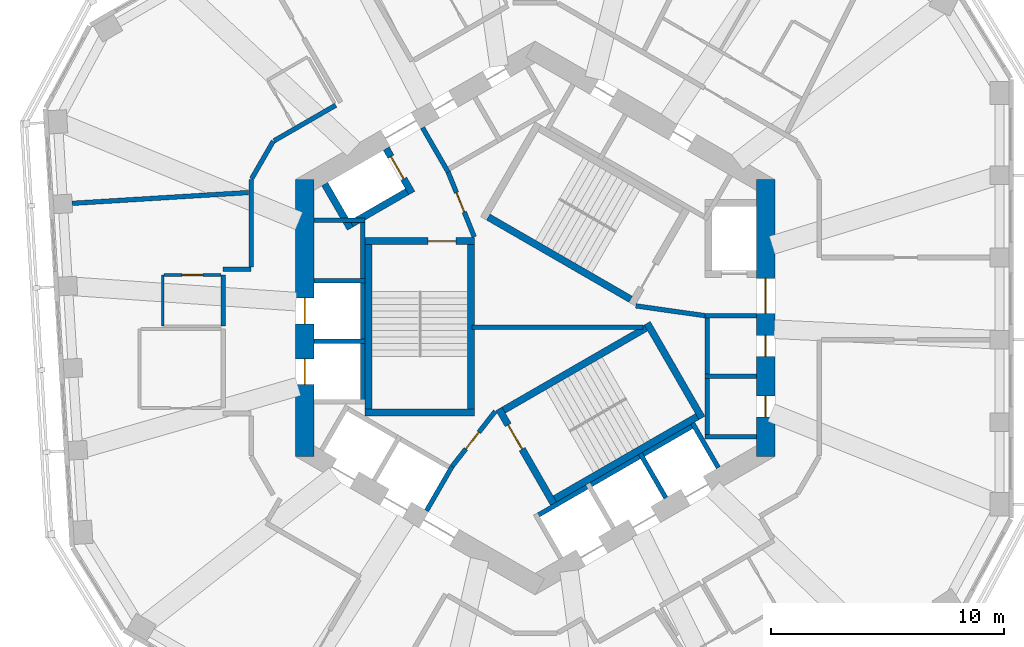
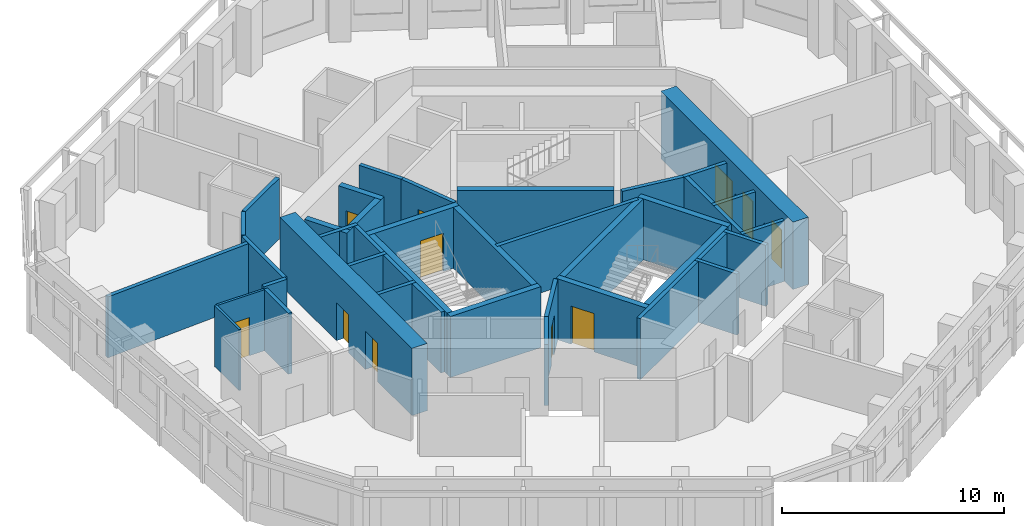
# One storey, part 5 of 11: 39 walls, 11 doors, 11 openings.
"""IFC4 building model written with IfcOpenShell, lengths in metres."""

from ifc_helpers import new_model, si_unit, direction, frame, frame_2d, origin, place, context, subcontext, project, spatial, rectangle, extrude, material, layer, layer_set, type_object, element, fill, save


model = new_model("IFC4")

# Units and contexts
model_context = context("Model", 3, precision=1e-05, world=origin(), true_north=direction((0.0, 1.0)))
body_context = subcontext(model_context, "Body", "Model", "MODEL_VIEW")
ifc_project = project(units=[si_unit("LENGTHUNIT", "METRE"), si_unit("AREAUNIT", "SQUARE_METRE"), si_unit("VOLUMEUNIT", "CUBIC_METRE"), si_unit("PLANEANGLEUNIT", "RADIAN"), si_unit("MASSUNIT", "GRAM", prefix="KILO")], contexts=[model_context])

# Site, building, storey
site_placement = place(None, origin())
site = spatial("IfcSite", under=ifc_project, at=site_placement, CompositionType="ELEMENT")
building_placement = place(site_placement, origin())
building = spatial("IfcBuilding", under=site, at=building_placement, Name="Vanh Sen Convention Tower", CompositionType="ELEMENT")
storey_placement = place(building_placement, frame((0.0, 0.0, 251.300048828125)))
storey = spatial("IfcBuildingStorey", under=building, at=storey_placement, Name="L62", CompositionType="ELEMENT", Elevation=251.300048828125)

# Wall
ifc_material_1 = material(Name="Moisture-resistant gypsum board on steel studs", Category="steel")
ifc_layer_1 = layer(ifc_material_1, 0.1201171875)
ifc_layer_set_1 = layer_set([ifc_layer_1], Name="Moisture-resistant gypsum board on steel studs")
wall_type_1 = type_object("IfcWallType", Name="Bathroom partition 120", PredefinedType="PARTITIONING", material=ifc_layer_set_1)
wall_1_placement = place(storey_placement, frame((-16.0009765625, -0.34912109375, 0.0), z_axis=(0.0, 0.0, 1.0), x_axis=(0.0, 1.0, 0.0)))
element("IfcWall", 1, at=wall_1_placement, inside=storey, type_object=wall_type_1, Name="Bathroom partition 120", PredefinedType="PARTITIONING", context=body_context, shape_type="SweptSolid", body=[
    extrude(rectangle(XDim=2.2001953125, YDim=0.1201171875, at=frame_2d((1.10009765625, 0.0))), origin(), (0.0, 0.0, 1.0), 3.349853515625),
])

# Wall, opening, door
wall_2_placement = place(storey_placement, frame((-15.94091796875, 1.85107421875, 0.0), z_axis=(0.0, 0.0, 1.0), x_axis=(1.0, 0.0, 0.0)))
wall_2 = element("IfcWall", 2, at=wall_2_placement, inside=storey, type_object=wall_type_1, Name="Bathroom partition 120", PredefinedType="PARTITIONING", context=body_context, shape_type="SweptSolid", body=[
    extrude(rectangle(XDim=2.43994140625, YDim=0.1201171875, at=frame_2d((1.219970703125, 0.0))), origin(), (0.0, 0.0, 1.0), 3.349853515625),
])
opening_1_placement = place(wall_2_placement, frame((0.77001953125, 0.0, 0.0)))
opening_1 = element("IfcOpeningElement", 3, at=opening_1_placement, cuts=wall_2, Name="Opening D61111", PredefinedType="OPENING", context=body_context, shape_type="SweptSolid", body=[
    extrude(rectangle(XDim=0.89990234375, YDim=2.10009765625, at=frame_2d((0.449951171875, 1.050048828125))), frame((0.0, 0.070068359375, 0.0), z_axis=(0.0, -1.0, 0.0), x_axis=(1.0, 0.0, 0.0)), (0.0, 0.0, 1.0), 0.14013671875),
])
ifc_material_2 = material(Name="Laminate door in steel frame", Category="steel")
door_type_1 = type_object("IfcDoorType", Name="Room internal door 900", OperationType="SINGLE_SWING_LEFT", PredefinedType="DOOR", material=ifc_material_2)
door_1_placement = place(opening_1_placement, origin())
door_1 = element("IfcDoor", 4, at=door_1_placement, inside=storey, type_object=door_type_1, Name="Internal room door D61111", OperationType="SINGLE_SWING_LEFT", OverallHeight=2.10009765625, OverallWidth=0.89990234375, PredefinedType="DOOR", context=body_context, shape_type="SweptSolid", body=[
    extrude(rectangle(XDim=0.89990234375, YDim=2.10009765625, at=frame_2d((0.449951171875, 1.050048828125))), frame((0.0, 0.02490234375, 0.0), z_axis=(0.0, -1.0, 0.0), x_axis=(1.0, 0.0, 0.0)), (0.0, 0.0, 1.0), 0.050048828125),
])
fill(opening_1, door_1)

# Wall, openings, doors
ifc_material_3 = material(Name="Concrete C60/75", Category="concrete")
ifc_layer_2 = layer(ifc_material_3, 0.800048828125)
ifc_layer_set_2 = layer_set([ifc_layer_2], Name="Concrete C60/75")
wall_type_2 = type_object("IfcWallType", Name="Core outer wall 800 C60/75", PredefinedType="SHEAR", material=ifc_layer_set_2)
wall_3_placement = place(storey_placement, frame((9.89990234375, -5.94677734375, 0.0), z_axis=(0.0, 0.0, 1.0), x_axis=(0.0, 1.0, 0.0)))
wall_3 = element("IfcWall", 5, at=wall_3_placement, inside=storey, type_object=wall_type_2, Name="Core wall face E L62", PredefinedType="SHEAR", context=body_context, shape_type="SweptSolid", body=[
    extrude(rectangle(XDim=11.8935546875, YDim=0.800048828125, at=frame_2d((5.94677734375, 0.0))), origin(), (0.0, 0.0, 1.0), 3.699951171875),
])
opening_2_placement = place(wall_3_placement, frame((6.146728515625, 0.0, 0.0)))
opening_2 = element("IfcOpeningElement", 6, at=opening_2_placement, cuts=wall_3, Name="Opening D61001", PredefinedType="OPENING", context=body_context, shape_type="SweptSolid", body=[
    extrude(rectangle(XDim=1.5, YDim=2.10009765625, at=frame_2d((0.75, 1.050048828125))), frame((0.0, 0.409912109375, 0.0), z_axis=(0.0, -1.0, 0.0), x_axis=(1.0, 0.0, 0.0)), (0.0, 0.0, 1.0), 0.820068359375),
])
opening_3_placement = place(wall_3_placement, frame((1.69677734375, 0.0, 0.0)))
opening_3 = element("IfcOpeningElement", 7, at=opening_3_placement, cuts=wall_3, Name="Opening D61009", PredefinedType="OPENING", context=body_context, shape_type="SweptSolid", body=[
    extrude(rectangle(XDim=0.89990234375, YDim=2.10009765625, at=frame_2d((0.449951171875, 1.050048828125))), frame((0.0, 0.409912109375, 0.0), z_axis=(0.0, -1.0, 0.0), x_axis=(1.0, 0.0, 0.0)), (0.0, 0.0, 1.0), 0.820068359375),
])
opening_4_placement = place(wall_3_placement, frame((4.296630859375, 0.0, 0.0)))
opening_4 = element("IfcOpeningElement", 8, at=opening_4_placement, cuts=wall_3, Name="Opening D61010", PredefinedType="OPENING", context=body_context, shape_type="SweptSolid", body=[
    extrude(rectangle(XDim=0.89990234375, YDim=2.10009765625, at=frame_2d((0.449951171875, 1.050048828125))), frame((0.0, 0.409912109375, 0.0), z_axis=(0.0, -1.0, 0.0), x_axis=(1.0, 0.0, 0.0)), (0.0, 0.0, 1.0), 0.820068359375),
])
ifc_material_4 = material(Name="Steel S355", Category="steel")
door_type_2 = type_object("IfcDoorType", Name="Plant door 900", OperationType="SINGLE_SWING_LEFT", PredefinedType="DOOR", material=ifc_material_4)
door_2_placement = place(opening_3_placement, origin())
door_2 = element("IfcDoor", 9, at=door_2_placement, inside=storey, type_object=door_type_2, Name="Plant door D61009", OperationType="SINGLE_SWING_LEFT", OverallHeight=2.10009765625, OverallWidth=0.89990234375, PredefinedType="DOOR", context=body_context, shape_type="SweptSolid", body=[
    extrude(rectangle(XDim=0.89990234375, YDim=2.10009765625, at=frame_2d((0.449951171875, 1.050048828125))), frame((0.0, 0.02490234375, 0.0), z_axis=(0.0, -1.0, 0.0), x_axis=(1.0, 0.0, 0.0)), (0.0, 0.0, 1.0), 0.050048828125),
])
fill(opening_3, door_2)
door_3_placement = place(opening_4_placement, origin())
door_3 = element("IfcDoor", 10, at=door_3_placement, inside=storey, type_object=door_type_2, Name="Plant door D61010", OperationType="SINGLE_SWING_LEFT", OverallHeight=2.10009765625, OverallWidth=0.89990234375, PredefinedType="DOOR", context=body_context, shape_type="SweptSolid", body=[
    extrude(rectangle(XDim=0.89990234375, YDim=2.10009765625, at=frame_2d((0.449951171875, 1.050048828125))), frame((0.0, 0.02490234375, 0.0), z_axis=(0.0, -1.0, 0.0), x_axis=(1.0, 0.0, 0.0)), (0.0, 0.0, 1.0), 0.050048828125),
])
fill(opening_4, door_3)
door_type_3 = type_object("IfcDoorType", Name="Stair lobby door 1500", OperationType="DOUBLE_DOOR_SINGLE_SWING", PredefinedType="DOOR", material=ifc_material_4)
door_4_placement = place(opening_2_placement, origin())
door_4 = element("IfcDoor", 11, at=door_4_placement, inside=storey, type_object=door_type_3, Name="Stair lobby door D61001", OperationType="DOUBLE_DOOR_SINGLE_SWING", OverallHeight=2.10009765625, OverallWidth=1.5, PredefinedType="DOOR", context=body_context, shape_type="SweptSolid", body=[
    extrude(rectangle(XDim=1.5, YDim=2.10009765625, at=frame_2d((0.75, 1.050048828125))), frame((0.0, 0.02490234375, 0.0), z_axis=(0.0, -1.0, 0.0), x_axis=(1.0, 0.0, 0.0)), (0.0, 0.0, 1.0), 0.050048828125),
])
fill(opening_2, door_4)

wall_4_placement = place(storey_placement, frame((-9.89990234375, 5.94677734375, 0.0), z_axis=(0.0, 0.0, 1.0), x_axis=(0.0, -1.0, 0.0)))
wall_4 = element("IfcWall", 12, at=wall_4_placement, inside=storey, type_object=wall_type_2, Name="Core wall face W L62", PredefinedType="SHEAR", context=body_context, shape_type="SweptSolid", body=[
    extrude(rectangle(XDim=11.8935546875, YDim=0.800048828125, at=frame_2d((5.94677734375, 0.0))), origin(), (0.0, 0.0, 1.0), 3.699951171875),
])
opening_5_placement = place(wall_4_placement, frame((5.0966796875, 0.0, 0.0)))
opening_5 = element("IfcOpeningElement", 13, at=opening_5_placement, cuts=wall_4, Name="Opening LD-HR1", PredefinedType="OPENING", context=body_context, shape_type="SweptSolid", body=[
    extrude(rectangle(XDim=1.10009765625, YDim=2.10009765625, at=frame_2d((0.550048828125, 1.050048828125))), frame((0.0, 0.409912109375, 0.0), z_axis=(0.0, -1.0, 0.0), x_axis=(1.0, 0.0, 0.0)), (0.0, 0.0, 1.0), 0.820068359375),
])
opening_6_placement = place(wall_4_placement, frame((7.69677734375, 0.0, 0.0)))
opening_6 = element("IfcOpeningElement", 14, at=opening_6_placement, cuts=wall_4, Name="Opening LD-HR2", PredefinedType="OPENING", context=body_context, shape_type="SweptSolid", body=[
    extrude(rectangle(XDim=1.10009765625, YDim=2.10009765625, at=frame_2d((0.550048828125, 1.050048828125))), frame((0.0, 0.409912109375, 0.0), z_axis=(0.0, -1.0, 0.0), x_axis=(1.0, 0.0, 0.0)), (0.0, 0.0, 1.0), 0.820068359375),
])
ifc_material_5 = material(Name="Stainless steel", Category="steel")
door_type_4 = type_object("IfcDoorType", Name="Lift landing door 1100", OperationType="DOUBLE_DOOR_SLIDING", PredefinedType="DOOR", material=ifc_material_5)
door_5_placement = place(opening_5_placement, origin())
door_5 = element("IfcDoor", 15, at=door_5_placement, inside=storey, type_object=door_type_4, Name="Lift HR1 landing door LD-HR1", OperationType="DOUBLE_DOOR_SLIDING", OverallHeight=2.10009765625, OverallWidth=1.10009765625, PredefinedType="DOOR", context=body_context, shape_type="SweptSolid", body=[
    extrude(rectangle(XDim=1.10009765625, YDim=2.10009765625, at=frame_2d((0.550048828125, 1.050048828125))), frame((0.0, 0.02490234375, 0.0), z_axis=(0.0, -1.0, 0.0), x_axis=(1.0, 0.0, 0.0)), (0.0, 0.0, 1.0), 0.050048828125),
])
fill(opening_5, door_5)
door_6_placement = place(opening_6_placement, origin())
door_6 = element("IfcDoor", 16, at=door_6_placement, inside=storey, type_object=door_type_4, Name="Lift HR2 landing door LD-HR2", OperationType="DOUBLE_DOOR_SLIDING", OverallHeight=2.10009765625, OverallWidth=1.10009765625, PredefinedType="DOOR", context=body_context, shape_type="SweptSolid", body=[
    extrude(rectangle(XDim=1.10009765625, YDim=2.10009765625, at=frame_2d((0.550048828125, 1.050048828125))), frame((0.0, 0.02490234375, 0.0), z_axis=(0.0, -1.0, 0.0), x_axis=(1.0, 0.0, 0.0)), (0.0, 0.0, 1.0), 0.050048828125),
])
fill(opening_6, door_6)

# Walls
ifc_material_6 = material(Name="Masonry blockwork", Category="masonry")
ifc_layer_3 = layer(ifc_material_6, 0.199951171875)
ifc_layer_set_3 = layer_set([ifc_layer_3], Name="Masonry blockwork")
wall_type_3 = type_object("IfcWallType", Name="Core partition 200", PredefinedType="PARTITIONING", material=ifc_layer_set_3)
wall_5_placement = place(storey_placement, frame((-2.719970703125, -0.39990234375, 0.0), z_axis=(0.0, 0.0, 1.0), x_axis=(1.0, 0.0, 0.0)))
element("IfcWall", 17, at=wall_5_placement, inside=storey, type_object=wall_type_3, Name="Core partition L62", PredefinedType="PARTITIONING", context=body_context, shape_type="SweptSolid", body=[
    extrude(rectangle(XDim=7.34716796875, YDim=0.199951171875, at=frame_2d((3.673583984375, 0.0))), origin(), (0.0, 0.0, 1.0), 3.349853515625),
])
ifc_material_7 = material(Name="Gypsum board on steel studs with mineral wool", Category="steel")
ifc_layer_4 = layer(ifc_material_7, 0.199951171875)
ifc_layer_set_4 = layer_set([ifc_layer_4], Name="Gypsum board on steel studs with mineral wool")
wall_type_4 = type_object("IfcWallType", Name="Corridor partition wall 200", PredefinedType="PARTITIONING", material=ifc_layer_set_4)
wall_6_placement = place(storey_placement, frame((-13.40087890625, 1.85107421875, 0.0), z_axis=(0.0, 0.0, 1.0), x_axis=(0.0, -1.0, 0.0)))
element("IfcWall", 18, at=wall_6_placement, inside=storey, type_object=wall_type_4, Name="Corridor partition wall 200", PredefinedType="PARTITIONING", context=body_context, shape_type="SweptSolid", body=[
    extrude(rectangle(XDim=2.2001953125, YDim=0.199951171875, at=frame_2d((1.10009765625, 0.0))), origin(), (0.0, 0.0, 1.0), 3.349853515625),
])
wall_7_placement = place(storey_placement, frame((-12.199951171875, 2.10107421875, 0.0), z_axis=(0.0, 0.0, 1.0), x_axis=(-1.0, 0.0, 0.0)))
element("IfcWall", 19, at=wall_7_placement, inside=storey, type_object=wall_type_4, Name="Corridor partition wall 200", PredefinedType="PARTITIONING", context=body_context, shape_type="SweptSolid", body=[
    extrude(rectangle(XDim=1.200927734375, YDim=0.199951171875, at=frame_2d((0.6005859375, 0.0))), origin(), (0.0, 0.0, 1.0), 3.349853515625),
])
wall_8_placement = place(storey_placement, frame((-12.199951171875, 5.94677734375, 0.0), z_axis=(0.0, 0.0, 1.0), x_axis=(0.0, -1.0, 0.0)))
element("IfcWall", 20, at=wall_8_placement, inside=storey, type_object=wall_type_4, Name="Corridor partition wall 200", PredefinedType="PARTITIONING", context=body_context, shape_type="SweptSolid", body=[
    extrude(rectangle(XDim=3.745849609375, YDim=0.199951171875, at=frame_2d((1.873046875, 0.0))), origin(), (0.0, 0.0, 1.0), 3.349853515625),
])
wall_9_placement = place(storey_placement, frame((-11.25, 7.592041015625, 0.0), z_axis=(0.0, 0.0, 1.0), x_axis=(-0.499964847546, -0.866045698112, 0.0)))
element("IfcWall", 21, at=wall_9_placement, inside=storey, type_object=wall_type_4, Name="Corridor partition wall 200", PredefinedType="PARTITIONING", context=body_context, shape_type="SweptSolid", body=[
    extrude(rectangle(XDim=1.860107421875, YDim=0.199951171875, at=frame_2d((0.93017578125, 0.0))), origin(), (0.0, 0.0, 1.0), 3.349853515625),
])
wall_10_placement = place(storey_placement, frame((-8.56640625, 9.1416015625, 0.0), z_axis=(0.0, 0.0, 1.0), x_axis=(-0.865999496279, -0.500044870432, 0.0)))
element("IfcWall", 22, at=wall_10_placement, inside=storey, type_object=wall_type_4, Name="Corridor partition wall 200", PredefinedType="PARTITIONING", context=body_context, shape_type="SweptSolid", body=[
    extrude(rectangle(XDim=3.058837890625, YDim=0.199951171875, at=frame_2d((1.529296875, 0.0))), origin(), (0.0, 0.0, 1.0), 3.349853515625),
])

# Wall, opening, door
ifc_layer_5 = layer(ifc_material_3, 0.300048828125)
ifc_layer_set_5 = layer_set([ifc_layer_5], Name="Concrete C60/75")
wall_type_5 = type_object("IfcWallType", Name="Fire-fighting lift shaft wall 300", PredefinedType="SHEAR", material=ifc_layer_set_5)
wall_11_placement = place(storey_placement, frame((-5.29541015625, 5.3720703125, 0.0), z_axis=(0.0, 0.0, 1.0), x_axis=(-0.500077893725, 0.86598042715, 0.0)))
wall_11 = element("IfcWall", 23, at=wall_11_placement, inside=storey, type_object=wall_type_5, Name="Fire-fighting lift shaft wall L62", PredefinedType="SHEAR", context=body_context, shape_type="SweptSolid", body=[
    extrude(rectangle(XDim=2.199951171875, YDim=0.300048828125, at=frame_2d((1.10009765625, 0.0))), origin(), (0.0, 0.0, 1.0), 3.349853515625),
])
opening_7_placement = place(wall_11_placement, frame((0.699951171875, 0.0, 0.0)))
opening_7 = element("IfcOpeningElement", 24, at=opening_7_placement, cuts=wall_11, Name="Opening LD-FF2", PredefinedType="OPENING", context=body_context, shape_type="SweptSolid", body=[
    extrude(rectangle(XDim=1.10009765625, YDim=2.10009765625, at=frame_2d((0.550048828125, 1.050048828125))), frame((0.0, 0.159912109375, 0.0), z_axis=(0.0, -1.0, 0.0), x_axis=(1.0, 0.0, 0.0)), (0.0, 0.0, 1.0), 0.320068359375),
])
door_type_5 = type_object("IfcDoorType", Name="Fire-fighting lift landing door 1100", OperationType="DOUBLE_DOOR_SLIDING", PredefinedType="DOOR", material=ifc_material_5)
door_7_placement = place(opening_7_placement, origin())
door_7 = element("IfcDoor", 25, at=door_7_placement, inside=storey, type_object=door_type_5, Name="Lift FF2 landing door LD-FF2", OperationType="DOUBLE_DOOR_SLIDING", OverallHeight=2.10009765625, OverallWidth=1.10009765625, PredefinedType="DOOR", context=body_context, shape_type="SweptSolid", body=[
    extrude(rectangle(XDim=1.10009765625, YDim=2.10009765625, at=frame_2d((0.550048828125, 1.050048828125))), frame((0.0, 0.02490234375, 0.0), z_axis=(0.0, -1.0, 0.0), x_axis=(1.0, 0.0, 0.0)), (0.0, 0.0, 1.0), 0.050048828125),
])
fill(opening_7, door_7)

# Walls
wall_12_placement = place(storey_placement, frame((-5.240478515625, 5.576904296875, 0.0), z_axis=(0.0, 0.0, 1.0), x_axis=(-0.866014461049, -0.500018952895, 0.0)))
element("IfcWall", 26, at=wall_12_placement, inside=storey, type_object=wall_type_5, Name="Fire-fighting lift shaft wall L62", PredefinedType="SHEAR", context=body_context, shape_type="SweptSolid", body=[
    extrude(rectangle(XDim=3.349853515625, YDim=0.300048828125, at=frame_2d((1.6748046875, 0.0))), origin(), (0.0, 0.0, 1.0), 3.349853515625),
])
wall_13_placement = place(storey_placement, frame((-7.936767578125, 3.846923828125, 0.0), z_axis=(0.0, 0.0, 1.0), x_axis=(-0.50002983664, 0.866008176907, 0.0)))
element("IfcWall", 27, at=wall_13_placement, inside=storey, type_object=wall_type_5, Name="Fire-fighting lift shaft wall L62", PredefinedType="SHEAR", context=body_context, shape_type="SweptSolid", body=[
    extrude(rectangle(XDim=2.199951171875, YDim=0.300048828125, at=frame_2d((1.10009765625, 0.0))), origin(), (0.0, 0.0, 1.0), 3.349853515625),
])
ifc_material_8 = material(Name="Concrete C40/50", Category="concrete")
ifc_layer_6 = layer(ifc_material_8, 0.199951171875)
ifc_layer_set_6 = layer_set([ifc_layer_6], Name="Concrete C40/50")
wall_type_6 = type_object("IfcWallType", Name="Lift shaft wall 200", PredefinedType="PARTITIONING", material=ifc_layer_set_6)
wall_14_placement = place(storey_placement, frame((7.39990234375, -5.199951171875, 0.0), z_axis=(0.0, 0.0, 1.0), x_axis=(0.0, 1.0, 0.0)))
element("IfcWall", 28, at=wall_14_placement, inside=storey, type_object=wall_type_6, Name="Lift shaft wall L62", PredefinedType="PARTITIONING", context=body_context, shape_type="SweptSolid", body=[
    extrude(rectangle(XDim=5.39990234375, YDim=0.199951171875, at=frame_2d((2.699951171875, 0.0))), origin(), (0.0, 0.0, 1.0), 3.349853515625),
])
for number, where, z_axis, x_axis, name in (
    (29, (7.300048828125, -5.10009765625, 0.0), (0.0, 0.0, 1.0), (1.0, 0.0, 0.0), "Lift shaft wall L62"),
    (30, (7.300048828125, -2.5, 0.0), (0.0, 0.0, 1.0), (1.0, 0.0, 0.0), "Lift shaft wall L62"),
    (31, (7.300048828125, 0.10009765625, 0.0), (0.0, 0.0, 1.0), (1.0, 0.0, 0.0), "Lift shaft wall L62"),
    (32, (-3.736572265625, 6.27197265625, 0.0), (0.0, 0.0, 1.0), (-0.50002983664, 0.866008176907, 0.0), "Lift shaft wall L62"),
):
    element("IfcWall", number, at=place(storey_placement, frame(where, z_axis=z_axis, x_axis=x_axis)), inside=storey, type_object=wall_type_6, Name=name, PredefinedType="PARTITIONING", context=body_context, shape_type="SweptSolid", body=[
        extrude(rectangle(XDim=2.199951171875, YDim=0.199951171875, at=frame_2d((1.10009765625, 0.0))), origin(), (0.0, 0.0, 1.0), 3.349853515625),
    ])
wall_15_placement = place(storey_placement, frame((-7.39990234375, 4.300048828125, 0.0), z_axis=(0.0, 0.0, 1.0), x_axis=(0.0, -1.0, 0.0)))
element("IfcWall", 33, at=wall_15_placement, inside=storey, type_object=wall_type_6, Name="Lift shaft wall L62", PredefinedType="PARTITIONING", context=body_context, shape_type="SweptSolid", body=[
    extrude(rectangle(XDim=8.0, YDim=0.199951171875, at=frame_2d((4.0, 0.0))), origin(), (0.0, 0.0, 1.0), 3.349853515625),
])
for number, where, z_axis, x_axis, name in (
    (34, (-7.300048828125, 4.199951171875, 0.0), (0.0, 0.0, 1.0), (-1.0, 0.0, 0.0), "Lift shaft wall L62"),
    (35, (-7.300048828125, 1.60009765625, 0.0), (0.0, 0.0, 1.0), (-1.0, 0.0, 0.0), "Lift shaft wall L62"),
    (36, (-7.300048828125, -1.0, 0.0), (0.0, 0.0, 1.0), (-1.0, 0.0, 0.0), "Lift shaft wall L62"),
):
    element("IfcWall", number, at=place(storey_placement, frame(where, z_axis=z_axis, x_axis=x_axis)), inside=storey, type_object=wall_type_6, Name=name, PredefinedType="PARTITIONING", context=body_context, shape_type="SweptSolid", body=[
        extrude(rectangle(XDim=2.199951171875, YDim=0.199951171875, at=frame_2d((1.10009765625, 0.0))), origin(), (0.0, 0.0, 1.0), 3.349853515625),
    ])
wall_16_placement = place(storey_placement, frame((-3.5634765625, -6.3720703125, 0.0), z_axis=(0.0, 0.0, 1.0), x_axis=(-0.499994660107, -0.866028486751, 0.0)))
element("IfcWall", 37, at=wall_16_placement, inside=storey, type_object=wall_type_6, Name="Lift shaft wall L62", PredefinedType="PARTITIONING", context=body_context, shape_type="SweptSolid", body=[
    extrude(rectangle(XDim=2.19970703125, YDim=0.199951171875, at=frame_2d((1.099853515625, 0.0))), origin(), (0.0, 0.0, 1.0), 3.349853515625),
])
wall_17_placement = place(storey_placement, frame((-0.02392578125, -8.55859375, 0.0), z_axis=(0.0, 0.0, 1.0), x_axis=(0.866026010844, 0.49999894854, 0.0)))
element("IfcWall", 38, at=wall_17_placement, inside=storey, type_object=wall_type_6, Name="Lift shaft wall L62", PredefinedType="PARTITIONING", context=body_context, shape_type="SweptSolid", body=[
    extrude(rectangle(XDim=8.0, YDim=0.199951171875, at=frame_2d((4.0, 0.0))), origin(), (0.0, 0.0, 1.0), 3.349853515625),
])
for number, where, z_axis, x_axis, name in (
    (39, (4.51611328125, -5.822021484375, 0.0), (0.0, 0.0, 1.0), (0.499946605688, -0.86605622881, 0.0), "Lift shaft wall L62"),
    (40, (6.767578125, -4.52197265625, 0.0), (0.0, 0.0, 1.0), (0.50002983664, -0.866008176907, 0.0), "Lift shaft wall L62"),
):
    element("IfcWall", number, at=place(storey_placement, frame(where, z_axis=z_axis, x_axis=x_axis)), inside=storey, type_object=wall_type_6, Name=name, PredefinedType="PARTITIONING", context=body_context, shape_type="SweptSolid", body=[
        extrude(rectangle(XDim=2.199951171875, YDim=0.199951171875, at=frame_2d((1.10009765625, 0.0))), origin(), (0.0, 0.0, 1.0), 3.349853515625),
    ])
ifc_layer_7 = layer(ifc_material_8, 0.199951171875)
ifc_layer_set_7 = layer_set([ifc_layer_7], Name="Concrete C40/50")
wall_type_7 = type_object("IfcWallType", Name="Stair lobby wall 200", PredefinedType="PARTITIONING", material=ifc_layer_set_7)
wall_18_placement = place(storey_placement, frame((4.327392578125, 0.52099609375, 0.0), z_axis=(0.0, 0.0, 1.0), x_axis=(0.990124376366, -0.14019172346, 0.0)))
element("IfcWall", 41, at=wall_18_placement, inside=storey, type_object=wall_type_7, Name="Stair lobby wall L62", PredefinedType="PARTITIONING", context=body_context, shape_type="SweptSolid", body=[
    extrude(rectangle(XDim=3.002197265625, YDim=0.199951171875, at=frame_2d((1.5009765625, 0.0))), origin(), (0.0, 0.0, 1.0), 3.349853515625),
])

# Wall, opening, door
wall_19_placement = place(storey_placement, frame((-2.614990234375, 3.487060546875, 0.0), z_axis=(0.0, 0.0, 1.0), x_axis=(-0.373576831041, 0.92759924068, 0.0)))
wall_19 = element("IfcWall", 42, at=wall_19_placement, inside=storey, type_object=wall_type_7, Name="Stair lobby wall L62", PredefinedType="PARTITIONING", context=body_context, shape_type="SweptSolid", body=[
    extrude(rectangle(XDim=3.002197265625, YDim=0.199951171875, at=frame_2d((1.5009765625, 0.0))), origin(), (0.0, 0.0, 1.0), 3.349853515625),
])
opening_8_placement = place(wall_19_placement, frame((1.14990234375, 0.0, 0.0)))
opening_8 = element("IfcOpeningElement", 43, at=opening_8_placement, cuts=wall_19, Name="Opening D61007", PredefinedType="OPENING", context=body_context, shape_type="SweptSolid", body=[
    extrude(rectangle(XDim=0.89990234375, YDim=2.10009765625, at=frame_2d((0.449951171875, 1.050048828125))), frame((0.0, 0.10986328125, 0.0), z_axis=(0.0, -1.0, 0.0), x_axis=(1.0, 0.0, 0.0)), (0.0, 0.0, 1.0), 0.219970703125),
])
door_8_placement = place(opening_8_placement, origin())
door_8 = element("IfcDoor", 44, at=door_8_placement, inside=storey, type_object=door_type_2, Name="Plant door D61007", OperationType="SINGLE_SWING_LEFT", OverallHeight=2.10009765625, OverallWidth=0.89990234375, PredefinedType="DOOR", context=body_context, shape_type="SweptSolid", body=[
    extrude(rectangle(XDim=0.89990234375, YDim=2.10009765625, at=frame_2d((0.449951171875, 1.050048828125))), frame((0.0, 0.02490234375, 0.0), z_axis=(0.0, -1.0, 0.0), x_axis=(1.0, 0.0, 0.0)), (0.0, 0.0, 1.0), 0.050048828125),
])
fill(opening_8, door_8)

wall_20_placement = place(storey_placement, frame((-1.71240234375, -4.00830078125, 0.0), z_axis=(0.0, 0.0, 1.0), x_axis=(-0.616549420702, -0.787316208287, 0.0)))
wall_20 = element("IfcWall", 45, at=wall_20_placement, inside=storey, type_object=wall_type_7, Name="Stair lobby wall L62", PredefinedType="PARTITIONING", context=body_context, shape_type="SweptSolid", body=[
    extrude(rectangle(XDim=3.002197265625, YDim=0.199951171875, at=frame_2d((1.5009765625, 0.0))), origin(), (0.0, 0.0, 1.0), 3.349853515625),
])
opening_9_placement = place(wall_20_placement, frame((1.14990234375, 0.0, 0.0)))
opening_9 = element("IfcOpeningElement", 46, at=opening_9_placement, cuts=wall_20, Name="Opening D61008", PredefinedType="OPENING", context=body_context, shape_type="SweptSolid", body=[
    extrude(rectangle(XDim=0.89990234375, YDim=2.10009765625, at=frame_2d((0.449951171875, 1.050048828125))), frame((0.0, 0.10986328125, 0.0), z_axis=(0.0, -1.0, 0.0), x_axis=(1.0, 0.0, 0.0)), (0.0, 0.0, 1.0), 0.219970703125),
])
door_9_placement = place(opening_9_placement, origin())
door_9 = element("IfcDoor", 47, at=door_9_placement, inside=storey, type_object=door_type_2, Name="Plant door D61008", OperationType="SINGLE_SWING_LEFT", OverallHeight=2.10009765625, OverallWidth=0.89990234375, PredefinedType="DOOR", context=body_context, shape_type="SweptSolid", body=[
    extrude(rectangle(XDim=0.89990234375, YDim=2.10009765625, at=frame_2d((0.449951171875, 1.050048828125))), frame((0.0, 0.02490234375, 0.0), z_axis=(0.0, -1.0, 0.0), x_axis=(1.0, 0.0, 0.0)), (0.0, 0.0, 1.0), 0.050048828125),
])
fill(opening_9, door_9)

# Wall
ifc_layer_8 = layer(ifc_material_3, 0.300048828125)
ifc_layer_set_8 = layer_set([ifc_layer_8], Name="Concrete C60/75")
wall_type_8 = type_object("IfcWallType", Name="Stair wall 300", PredefinedType="SHEAR", material=ifc_layer_set_8)
wall_21_placement = place(storey_placement, frame((4.10302734375, 0.806640625, 0.0), z_axis=(0.0, 0.0, 1.0), x_axis=(-0.866027801685, 0.499995846692, 0.0)))
element("IfcWall", 48, at=wall_21_placement, inside=storey, type_object=wall_type_8, Name="Stair wall L62", PredefinedType="SHEAR", context=body_context, shape_type="SweptSolid", body=[
    extrude(rectangle(XDim=7.06005859375, YDim=0.300048828125, at=frame_2d((3.530029296875, 0.0))), origin(), (0.0, 0.0, 1.0), 3.349853515625),
])

# Wall, opening, door
wall_22_placement = place(storey_placement, frame((-2.60009765625, 3.300048828125, 0.0), z_axis=(0.0, 0.0, 1.0), x_axis=(-1.0, 0.0, 0.0)))
wall_22 = element("IfcWall", 49, at=wall_22_placement, inside=storey, type_object=wall_type_8, Name="Stair wall L62", PredefinedType="SHEAR", context=body_context, shape_type="SweptSolid", body=[
    extrude(rectangle(XDim=4.699951171875, YDim=0.300048828125, at=frame_2d((2.35009765625, 0.0))), origin(), (0.0, 0.0, 1.0), 3.349853515625),
])
opening_10_placement = place(wall_22_placement, frame((0.800048828125, 0.0, 0.0)))
opening_10 = element("IfcOpeningElement", 50, at=opening_10_placement, cuts=wall_22, Name="Opening D61005", PredefinedType="OPENING", context=body_context, shape_type="SweptSolid", body=[
    extrude(rectangle(XDim=1.199951171875, YDim=2.10009765625, at=frame_2d((0.60009765625, 1.050048828125))), frame((0.0, 0.159912109375, 0.0), z_axis=(0.0, -1.0, 0.0), x_axis=(1.0, 0.0, 0.0)), (0.0, 0.0, 1.0), 0.320068359375),
])
door_type_6 = type_object("IfcDoorType", Name="Stair door 1200", OperationType="SINGLE_SWING_RIGHT", PredefinedType="DOOR", material=ifc_material_4)
door_10_placement = place(opening_10_placement, origin())
door_10 = element("IfcDoor", 51, at=door_10_placement, inside=storey, type_object=door_type_6, Name="Stair ST2 door D61005", OperationType="SINGLE_SWING_RIGHT", OverallHeight=2.10009765625, OverallWidth=1.199951171875, PredefinedType="DOOR", context=body_context, shape_type="SweptSolid", body=[
    extrude(rectangle(XDim=1.199951171875, YDim=2.10009765625, at=frame_2d((0.60009765625, 1.050048828125))), frame((0.0, 0.02490234375, 0.0), z_axis=(0.0, -1.0, 0.0), x_axis=(1.0, 0.0, 0.0)), (0.0, 0.0, 1.0), 0.050048828125),
])
fill(opening_10, door_10)

# Walls
wall_23_placement = place(storey_placement, frame((-2.60009765625, -4.06005859375, 0.0), z_axis=(0.0, 0.0, 1.0), x_axis=(-1.0, 0.0, 0.0)))
element("IfcWall", 52, at=wall_23_placement, inside=storey, type_object=wall_type_8, Name="Stair wall L62", PredefinedType="SHEAR", context=body_context, shape_type="SweptSolid", body=[
    extrude(rectangle(XDim=4.699951171875, YDim=0.300048828125, at=frame_2d((2.35009765625, 0.0))), origin(), (0.0, 0.0, 1.0), 3.349853515625),
])
for number, where, z_axis, x_axis, name in (
    (53, (-2.75, 3.14990234375, 0.0), (0.0, 0.0, 1.0), (0.0, -1.0, 0.0), "Stair wall L62"),
    (54, (-7.14990234375, 3.14990234375, 0.0), (0.0, 0.0, 1.0), (0.0, -1.0, 0.0), "Stair wall L62"),
):
    element("IfcWall", number, at=place(storey_placement, frame(where, z_axis=z_axis, x_axis=x_axis)), inside=storey, type_object=wall_type_8, Name=name, PredefinedType="SHEAR", context=body_context, shape_type="SweptSolid", body=[
        extrude(rectangle(XDim=7.059814453125, YDim=0.300048828125, at=frame_2d((3.52978515625, 0.0))), origin(), (0.0, 0.0, 1.0), 3.349853515625),
    ])

# Wall, opening, door
wall_24_placement = place(storey_placement, frame((-1.557861328125, -3.901611328125, 0.0), z_axis=(0.0, 0.0, 1.0), x_axis=(0.499977259774, -0.866038532462, 0.0)))
wall_24 = element("IfcWall", 55, at=wall_24_placement, inside=storey, type_object=wall_type_8, Name="Stair wall L62", PredefinedType="SHEAR", context=body_context, shape_type="SweptSolid", body=[
    extrude(rectangle(XDim=4.699951171875, YDim=0.300048828125, at=frame_2d((2.35009765625, 0.0))), origin(), (0.0, 0.0, 1.0), 3.349853515625),
])
opening_11_placement = place(wall_24_placement, frame((0.800048828125, 0.0, 0.0)))
opening_11 = element("IfcOpeningElement", 56, at=opening_11_placement, cuts=wall_24, Name="Opening D61006", PredefinedType="OPENING", context=body_context, shape_type="SweptSolid", body=[
    extrude(rectangle(XDim=1.199951171875, YDim=2.10009765625, at=frame_2d((0.60009765625, 1.050048828125))), frame((0.0, 0.159912109375, 0.0), z_axis=(0.0, -1.0, 0.0), x_axis=(1.0, 0.0, 0.0)), (0.0, 0.0, 1.0), 0.320068359375),
])
door_11_placement = place(opening_11_placement, origin())
door_11 = element("IfcDoor", 57, at=door_11_placement, inside=storey, type_object=door_type_6, Name="Stair ST3 door D61006", OperationType="SINGLE_SWING_RIGHT", OverallHeight=2.10009765625, OverallWidth=1.199951171875, PredefinedType="DOOR", context=body_context, shape_type="SweptSolid", body=[
    extrude(rectangle(XDim=1.199951171875, YDim=2.10009765625, at=frame_2d((0.60009765625, 1.050048828125))), frame((0.0, 0.02490234375, 0.0), z_axis=(0.0, -1.0, 0.0), x_axis=(1.0, 0.0, 0.0)), (0.0, 0.0, 1.0), 0.050048828125),
])
fill(opening_11, door_11)

# Walls
wall_25_placement = place(storey_placement, frame((4.816162109375, -0.2216796875, 0.0), z_axis=(0.0, 0.0, 1.0), x_axis=(0.499977259774, -0.866038532462, 0.0)))
element("IfcWall", 58, at=wall_25_placement, inside=storey, type_object=wall_type_8, Name="Stair wall L62", PredefinedType="SHEAR", context=body_context, shape_type="SweptSolid", body=[
    extrude(rectangle(XDim=4.699951171875, YDim=0.300048828125, at=frame_2d((2.35009765625, 0.0))), origin(), (0.0, 0.0, 1.0), 3.349853515625),
])
for number, where, z_axis, x_axis, name in (
    (59, (-1.35302734375, -3.95654296875, 0.0), (0.0, 0.0, 1.0), (0.866027801685, 0.499995846692, 0.0), "Stair wall L62"),
    (60, (0.846923828125, -7.76708984375, 0.0), (0.0, 0.0, 1.0), (0.866027801685, 0.499995846692, 0.0), "Stair wall L62"),
):
    element("IfcWall", number, at=place(storey_placement, frame(where, z_axis=z_axis, x_axis=x_axis)), inside=storey, type_object=wall_type_8, Name=name, PredefinedType="SHEAR", context=body_context, shape_type="SweptSolid", body=[
        extrude(rectangle(XDim=7.06005859375, YDim=0.300048828125, at=frame_2d((3.530029296875, 0.0))), origin(), (0.0, 0.0, 1.0), 3.349853515625),
    ])
ifc_layer_9 = layer(ifc_material_7, 0.199951171875)
ifc_layer_set_9 = layer_set([ifc_layer_9], Name="Gypsum board on steel studs with mineral wool")
wall_type_9 = type_object("IfcWallType", Name="Tenant suite wall 200", PredefinedType="PARTITIONING", material=ifc_layer_set_9)
wall_26_placement = place(storey_placement, frame((-19.887939453125, 4.9267578125, 0.0), z_axis=(0.0, 0.0, 1.0), x_axis=(0.998133794525, 0.061064950896, 0.0)))
element("IfcWall", 61, at=wall_26_placement, inside=storey, type_object=wall_type_9, Name="Tenant suite wall 200", PredefinedType="PARTITIONING", context=body_context, shape_type="SweptSolid", body=[
    extrude(rectangle(XDim=7.59228515625, YDim=0.199951171875, at=frame_2d((3.796142578125, 0.0))), origin(), (0.0, 0.0, 1.0), 3.349853515625),
])

save(model, "model.ifc")
